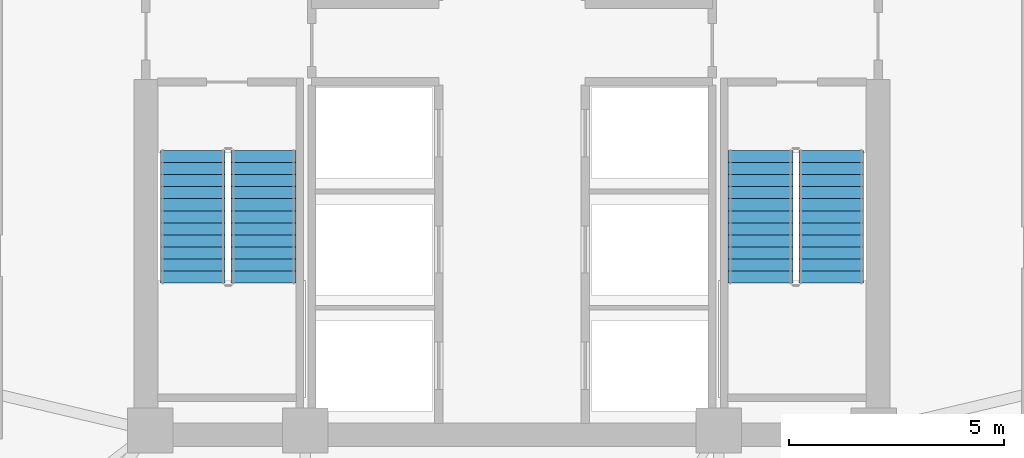
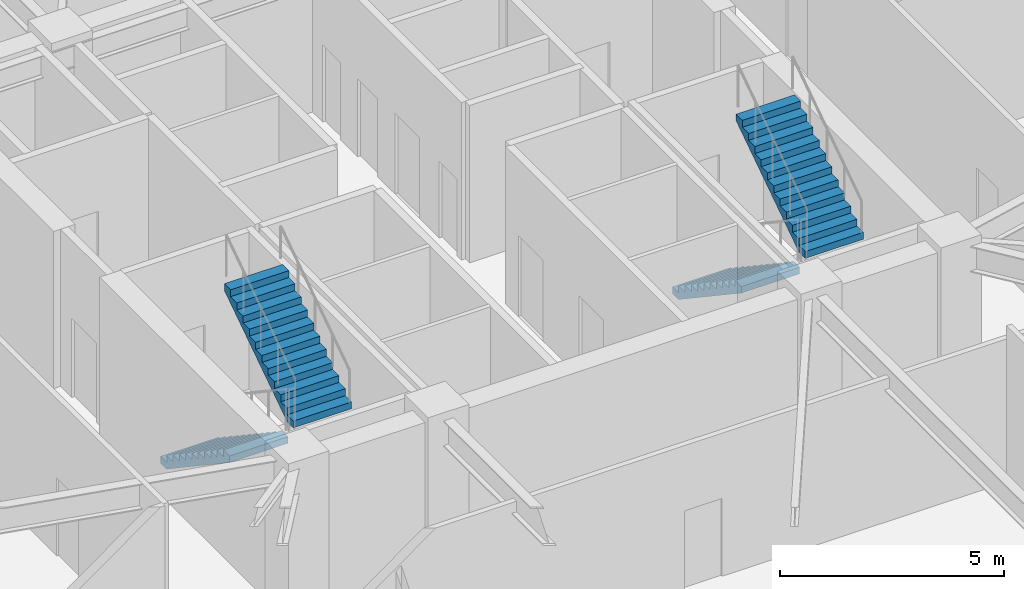
# One storey, part 9 of 13: 4 stair flights, 2 elements without a shape of their own.
"""IFC4 building model written with IfcOpenShell, lengths in metres."""

from ifc_helpers import new_model, si_unit, direction, frame, origin, place, context, subcontext, project, spatial, polyline, outline, extrude, material, type_object, element, aggregate, save


model = new_model("IFC4")

# Units and contexts
model_context = context("Model", 3, precision=1e-05, world=origin(), true_north=direction((0.0, 1.0)))
body_context = subcontext(model_context, "Body", "Model", "MODEL_VIEW")
ifc_project = project(units=[si_unit("LENGTHUNIT", "METRE"), si_unit("AREAUNIT", "SQUARE_METRE"), si_unit("VOLUMEUNIT", "CUBIC_METRE"), si_unit("PLANEANGLEUNIT", "RADIAN"), si_unit("MASSUNIT", "GRAM", prefix="KILO")], contexts=[model_context])

# Site, building, storey
site_placement = place(None, origin())
site = spatial("IfcSite", under=ifc_project, at=site_placement, CompositionType="ELEMENT")
building_placement = place(site_placement, origin())
building = spatial("IfcBuilding", under=site, at=building_placement, Name="Cairnveth Concourse Tower", CompositionType="ELEMENT")
storey_placement = place(building_placement, frame((0.0, 0.0, 101.5)))
storey = spatial("IfcBuildingStorey", under=building, at=storey_placement, Name="L27", CompositionType="ELEMENT", Elevation=101.5)

# Stair, stair flights
ifc_material = material(Name="Precast concrete N50 (50 MPa)", Category="concrete")
stair_type = type_object("IfcStairType", Name="CORE DOG-LEG FIRE STAIR 1500", PredefinedType="HALF_TURN_STAIR", material=ifc_material)
stair_1_placement = place(storey_placement, origin())
stair_1 = element("IfcStair", 1, at=stair_1_placement, inside=storey, type_object=stair_type, Name="L27 Fire-Isolated Stair ST-1", PredefinedType="HALF_TURN_STAIR")
stair_flight_type = type_object("IfcStairFlightType", Name="PRECAST CONCRETE STAIR FLIGHT 1500", PredefinedType="STRAIGHT", material=ifc_material)
stair_flight_1_placement = place(storey_placement, frame((44.590087890625, 37.10009765625, 0.0), z_axis=(0.0, 0.0, 1.0), x_axis=(0.0, -1.0, 0.0)))
stair_flight_1 = element("IfcStairFlight", 2, at=stair_flight_1_placement, type_object=stair_flight_type, Name="ST-1 flight 1", NumberOfRisers=12, NumberOfTreads=11, PredefinedType="STRAIGHT", RiserHeight=0.1875, TreadLength=0.28, context=body_context, shape_type="SweptSolid", body=[
    extrude(outline(polyline([(0.0, 0.0), (0.0, 0.1875), (0.280029296875, 0.1875), (0.280029296875, 0.375), (0.56005859375, 0.375), (0.56005859375, 0.5625), (0.840087890625, 0.5625), (0.840087890625, 0.75), (1.1201171875, 0.75), (1.1201171875, 0.9375), (1.39990234375, 0.9375), (1.39990234375, 1.125), (1.679931640625, 1.125), (1.679931640625, 1.3125), (1.9599609375, 1.3125), (1.9599609375, 1.5), (2.239990234375, 1.5), (2.239990234375, 1.6875), (2.52001953125, 1.6875), (2.52001953125, 1.875), (2.800048828125, 1.875), (2.800048828125, 2.0625), (3.080078125, 2.0625), (3.080078125, 2.25), (3.080078125, 1.882080078125), (0.26953125, 0.0), (0.0, 0.0)])), frame((0.0, 0.75, 0.0), z_axis=(0.0, -1.0, 0.0), x_axis=(1.0, 0.0, 0.0)), (0.0, 0.0, 1.0), 1.5),
])
stair_flight_2_placement = place(storey_placement, frame((46.22998046875, 34.02001953125, 2.25), z_axis=(0.0, 0.0, 1.0), x_axis=(0.0, 1.0, 0.0)))
stair_flight_2 = element("IfcStairFlight", 3, at=stair_flight_2_placement, type_object=stair_flight_type, Name="ST-1 flight 2", NumberOfRisers=12, NumberOfTreads=11, PredefinedType="STRAIGHT", RiserHeight=0.1875, TreadLength=0.28, context=body_context, shape_type="SweptSolid", body=[
    extrude(outline(polyline([(0.0, 0.0), (0.0, 0.1875), (0.280029296875, 0.1875), (0.280029296875, 0.375), (0.56005859375, 0.375), (0.56005859375, 0.5625), (0.840087890625, 0.5625), (0.840087890625, 0.75), (1.1201171875, 0.75), (1.1201171875, 0.9375), (1.39990234375, 0.9375), (1.39990234375, 1.125), (1.679931640625, 1.125), (1.679931640625, 1.3125), (1.9599609375, 1.3125), (1.9599609375, 1.5), (2.239990234375, 1.5), (2.239990234375, 1.6875), (2.52001953125, 1.6875), (2.52001953125, 1.875), (2.800048828125, 1.875), (2.800048828125, 2.0625), (3.080078125, 2.0625), (3.080078125, 2.25), (3.080078125, 1.882080078125), (0.26953125, 0.0), (0.0, 0.0)])), frame((0.0, 0.75, 0.0), z_axis=(0.0, -1.0, 0.0), x_axis=(1.0, 0.0, 0.0)), (0.0, 0.0, 1.0), 1.5),
])
aggregate(stair_1, [stair_flight_1, stair_flight_2])

stair_2_placement = place(storey_placement, origin())
stair_2 = element("IfcStair", 4, at=stair_2_placement, inside=storey, type_object=stair_type, Name="L27 Fire-Isolated Stair ST-2", PredefinedType="HALF_TURN_STAIR")
stair_flight_3_placement = place(storey_placement, frame((57.77001953125, 37.10009765625, 0.0), z_axis=(0.0, 0.0, 1.0), x_axis=(0.0, -1.0, 0.0)))
stair_flight_3 = element("IfcStairFlight", 5, at=stair_flight_3_placement, type_object=stair_flight_type, Name="ST-2 flight 1", NumberOfRisers=12, NumberOfTreads=11, PredefinedType="STRAIGHT", RiserHeight=0.1875, TreadLength=0.28, context=body_context, shape_type="SweptSolid", body=[
    extrude(outline(polyline([(0.0, 0.0), (0.0, 0.1875), (0.280029296875, 0.1875), (0.280029296875, 0.375), (0.56005859375, 0.375), (0.56005859375, 0.5625), (0.840087890625, 0.5625), (0.840087890625, 0.75), (1.1201171875, 0.75), (1.1201171875, 0.9375), (1.39990234375, 0.9375), (1.39990234375, 1.125), (1.679931640625, 1.125), (1.679931640625, 1.3125), (1.9599609375, 1.3125), (1.9599609375, 1.5), (2.239990234375, 1.5), (2.239990234375, 1.6875), (2.52001953125, 1.6875), (2.52001953125, 1.875), (2.800048828125, 1.875), (2.800048828125, 2.0625), (3.080078125, 2.0625), (3.080078125, 2.25), (3.080078125, 1.882080078125), (0.26953125, 0.0), (0.0, 0.0)])), frame((0.0, 0.75, 0.0), z_axis=(0.0, -1.0, 0.0), x_axis=(1.0, 0.0, 0.0)), (0.0, 0.0, 1.0), 1.5),
])
stair_flight_4_placement = place(storey_placement, frame((59.409912109375, 34.02001953125, 2.25), z_axis=(0.0, 0.0, 1.0), x_axis=(0.0, 1.0, 0.0)))
stair_flight_4 = element("IfcStairFlight", 6, at=stair_flight_4_placement, type_object=stair_flight_type, Name="ST-2 flight 2", NumberOfRisers=12, NumberOfTreads=11, PredefinedType="STRAIGHT", RiserHeight=0.1875, TreadLength=0.28, context=body_context, shape_type="SweptSolid", body=[
    extrude(outline(polyline([(0.0, 0.0), (0.0, 0.1875), (0.280029296875, 0.1875), (0.280029296875, 0.375), (0.56005859375, 0.375), (0.56005859375, 0.5625), (0.840087890625, 0.5625), (0.840087890625, 0.75), (1.1201171875, 0.75), (1.1201171875, 0.9375), (1.39990234375, 0.9375), (1.39990234375, 1.125), (1.679931640625, 1.125), (1.679931640625, 1.3125), (1.9599609375, 1.3125), (1.9599609375, 1.5), (2.239990234375, 1.5), (2.239990234375, 1.6875), (2.52001953125, 1.6875), (2.52001953125, 1.875), (2.800048828125, 1.875), (2.800048828125, 2.0625), (3.080078125, 2.0625), (3.080078125, 2.25), (3.080078125, 1.882080078125), (0.26953125, 0.0), (0.0, 0.0)])), frame((0.0, 0.75, 0.0), z_axis=(0.0, -1.0, 0.0), x_axis=(1.0, 0.0, 0.0)), (0.0, 0.0, 1.0), 1.5),
])
aggregate(stair_2, [stair_flight_3, stair_flight_4])

save(model, "model.ifc")
